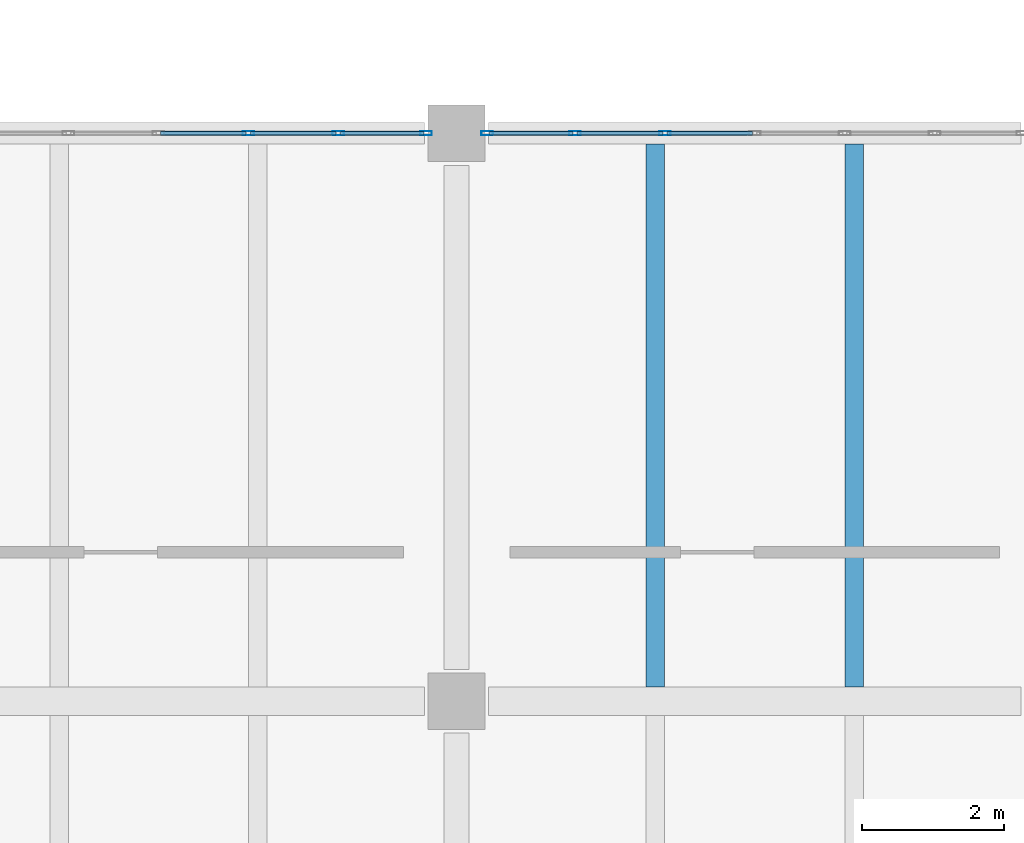
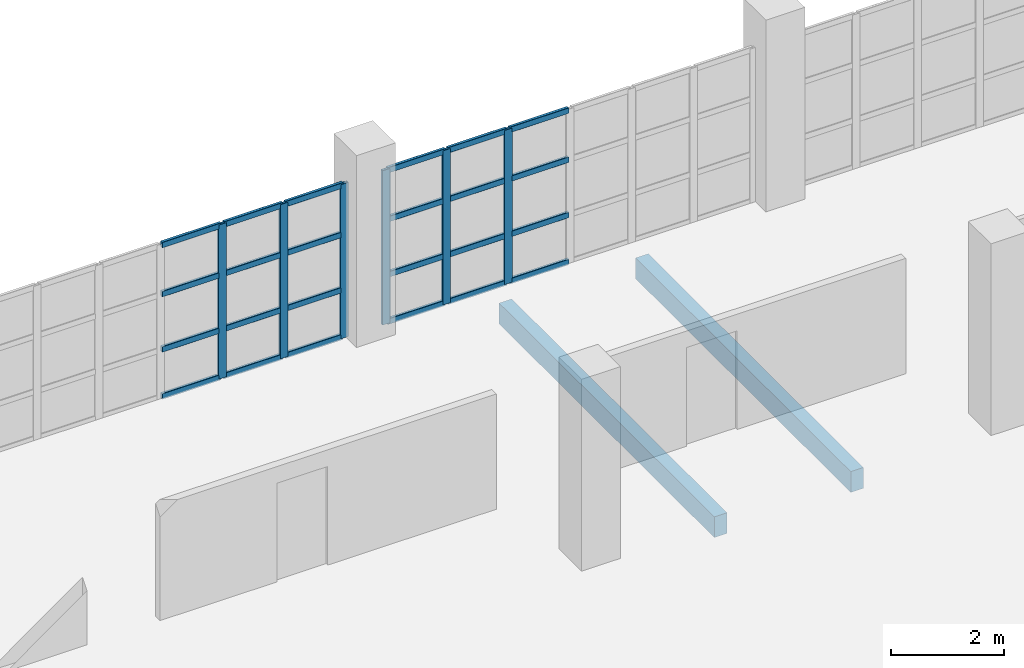
# One storey, part 46 of 177: 30 members, 2 beams, 2 elements without a shape of their own.
"""IFC4 building model written with IfcOpenShell, lengths in metres."""

from ifc_helpers import new_model, si_unit, direction, frame, origin, origin_2d, place, context, subcontext, project, spatial, rectangle, hollow_rectangle, extrude, material, layer, layer_set, material_profile, profile_set, type_object, element, aggregate, save


model = new_model("IFC4")

# Units and contexts
model_context = context("Model", 3, precision=1e-05, world=origin(), true_north=direction((0.0, 1.0)))
body_context = subcontext(model_context, "Body", "Model", "MODEL_VIEW")
ifc_project = project(units=[si_unit("LENGTHUNIT", "METRE"), si_unit("AREAUNIT", "SQUARE_METRE"), si_unit("VOLUMEUNIT", "CUBIC_METRE"), si_unit("PLANEANGLEUNIT", "RADIAN"), si_unit("MASSUNIT", "GRAM", prefix="KILO"), si_unit("THERMODYNAMICTEMPERATUREUNIT", "KELVIN"), si_unit("POWERUNIT", "WATT")], contexts=[model_context])

# Site, building, storey
site_placement = place(None, origin())
site = spatial("IfcSite", under=ifc_project, at=site_placement, CompositionType="ELEMENT")
building_placement = place(site_placement, origin())
building = spatial("IfcBuilding", under=site, at=building_placement, Name="Mavoryth Pier Ferry Terminal", CompositionType="ELEMENT")
storey_placement = place(building_placement, frame((0.0, 0.0, 5.43994140625)))
storey = spatial("IfcBuildingStorey", under=building, at=storey_placement, Name="L01", CompositionType="ELEMENT", Elevation=5.43994140625)

# Beams
ifc_material_1 = material(Name="Concrete C35/45", Category="concrete")
ifc_material_profile_1 = material_profile(ifc_material_1, rectangle(XDim=0.260009765625, YDim=0.449951171875, at=origin_2d()), Name="RC 260x450", Category="concrete")
ifc_profile_set_1 = profile_set([ifc_material_profile_1], Name="Concrete C35/45 - RC 260x450")
beam_type = type_object("IfcBeamType", Name="Joist-RC-260x450", PredefinedType="JOIST", material=ifc_profile_set_1)
for number, where, z_axis, x_axis, name in (
    (1, (78.39990234375, 14.199951171875, -0.48486328125), (0.0, 1.0, 0.0), (-1.0, 0.0, 0.0), "Beam B01-BJ03-0579"),
    (2, (81.199951171875, 14.199951171875, -0.48486328125), (0.0, 1.0, 0.0), (-1.0, 0.0, 0.0), "Beam B01-BJ03-0580"),
):
    element("IfcBeam", number, at=place(storey_placement, frame(where, z_axis=z_axis, x_axis=x_axis)), inside=storey, type_object=beam_type, Name=name, PredefinedType="JOIST", context=body_context, shape_type="SweptSolid", body=[
        extrude(rectangle(XDim=0.260009765625, YDim=0.449951171875, at=origin_2d()), origin(), (0.0, 0.0, 1.0), 7.650146484375),
    ])

# Curtain wall, members
ifc_material_2 = material(Name="Anodised Aluminium and Solar-Control Low-E Glass", Category="aluminium")
ifc_layer = layer(ifc_material_2, 0.239990234375, Name="Anodised Aluminium and Solar-Control Low-E Glass", Category="aluminium")
ifc_layer_set = layer_set([ifc_layer], Name="Anodised Aluminium and Solar-Control Low-E Glass - CW-Operations-Mod1200")
curtain_wall_type = type_object("IfcCurtainWallType", Name="CW-Operations-Mod1200", PredefinedType="USERDEFINED", material=ifc_layer_set)
curtain_wall_1_placement = place(storey_placement, origin())
curtain_wall_1 = element("IfcCurtainWall", 3, at=curtain_wall_1_placement, inside=storey, type_object=curtain_wall_type, Name="Curtain Wall CW-0122-115", ObjectType="UNITISED CURTAIN WALL", PredefinedType="USERDEFINED")
ifc_material_3 = material(Name="Anodised Aluminium EN AW-6063", Category="aluminium")
ifc_material_profile_2 = material_profile(ifc_material_3, hollow_rectangle(XDim=0.06005859375, YDim=0.1650390625, WallThickness=0.00390625, InnerFilletRadius=0.00390625, OuterFilletRadius=0.008056640625, at=origin_2d()), Name="AL-MULL 165x60x4", Category="aluminium")
ifc_profile_set_2 = profile_set([ifc_material_profile_2], Name="Anodised Aluminium EN AW-6063 - AL-MULL 165x60x4")
member_type_1 = type_object("IfcMemberType", Name="Mullion-Alum-165x60", PredefinedType="MULLION", material=ifc_profile_set_2)
member_1_placement = place(storey_placement, frame((75.169921875, 22.0, 0.0), z_axis=(0.0, 0.0, 1.0), x_axis=(0.0, -1.0, 0.0)))
member_1 = element("IfcMember", 4, at=member_1_placement, type_object=member_type_1, Name="CW06 mullion 1", PredefinedType="MULLION", context=body_context, shape_type="SweptSolid", body=[
    extrude(hollow_rectangle(XDim=0.06005859375, YDim=0.1650390625, WallThickness=0.00390625, InnerFilletRadius=0.00390625, OuterFilletRadius=0.008056640625, at=origin_2d()), origin(), (0.0, 0.0, 1.0), 3.344970703125),
])
member_2_placement = place(storey_placement, frame((73.933349609375, 22.0, 0.0), z_axis=(0.0, 0.0, 1.0), x_axis=(0.0, -1.0, 0.0)))
member_2 = element("IfcMember", 5, at=member_2_placement, type_object=member_type_1, Name="CW06 mullion 2", PredefinedType="MULLION", context=body_context, shape_type="SweptSolid", body=[
    extrude(hollow_rectangle(XDim=0.06005859375, YDim=0.1650390625, WallThickness=0.00390625, InnerFilletRadius=0.00390625, OuterFilletRadius=0.008056640625, at=origin_2d()), origin(), (0.0, 0.0, 1.0), 3.344970703125),
])
member_3_placement = place(storey_placement, frame((72.666748046875, 22.0, 0.0), z_axis=(0.0, 0.0, 1.0), x_axis=(0.0, -1.0, 0.0)))
member_3 = element("IfcMember", 6, at=member_3_placement, type_object=member_type_1, Name="CW06 mullion 3", PredefinedType="MULLION", context=body_context, shape_type="SweptSolid", body=[
    extrude(hollow_rectangle(XDim=0.06005859375, YDim=0.1650390625, WallThickness=0.00390625, InnerFilletRadius=0.00390625, OuterFilletRadius=0.008056640625, at=origin_2d()), origin(), (0.0, 0.0, 1.0), 3.344970703125),
])

curtain_wall_2_placement = place(storey_placement, origin())
curtain_wall_2 = element("IfcCurtainWall", 7, at=curtain_wall_2_placement, inside=storey, type_object=curtain_wall_type, Name="Curtain Wall CW-0122-117", ObjectType="UNITISED CURTAIN WALL", PredefinedType="USERDEFINED")
member_4_placement = place(storey_placement, frame((78.533447265625, 22.0, 0.0), z_axis=(0.0, 0.0, 1.0), x_axis=(0.0, -1.0, 0.0)))
member_4 = element("IfcMember", 8, at=member_4_placement, type_object=member_type_1, Name="CW06 mullion 5", PredefinedType="MULLION", context=body_context, shape_type="SweptSolid", body=[
    extrude(hollow_rectangle(XDim=0.06005859375, YDim=0.1650390625, WallThickness=0.00390625, InnerFilletRadius=0.00390625, OuterFilletRadius=0.008056640625, at=origin_2d()), origin(), (0.0, 0.0, 1.0), 3.344970703125),
])
member_5_placement = place(storey_placement, frame((77.2666015625, 22.0, 0.0), z_axis=(0.0, 0.0, 1.0), x_axis=(0.0, -1.0, 0.0)))
member_5 = element("IfcMember", 9, at=member_5_placement, type_object=member_type_1, Name="CW06 mullion 6", PredefinedType="MULLION", context=body_context, shape_type="SweptSolid", body=[
    extrude(hollow_rectangle(XDim=0.06005859375, YDim=0.1650390625, WallThickness=0.00390625, InnerFilletRadius=0.00390625, OuterFilletRadius=0.008056640625, at=origin_2d()), origin(), (0.0, 0.0, 1.0), 3.344970703125),
])
member_6_placement = place(storey_placement, frame((76.030029296875, 22.0, 0.0), z_axis=(0.0, 0.0, 1.0), x_axis=(0.0, -1.0, 0.0)))
member_6 = element("IfcMember", 10, at=member_6_placement, type_object=member_type_1, Name="CW06 mullion 7", PredefinedType="MULLION", context=body_context, shape_type="SweptSolid", body=[
    extrude(hollow_rectangle(XDim=0.06005859375, YDim=0.1650390625, WallThickness=0.00390625, InnerFilletRadius=0.00390625, OuterFilletRadius=0.008056640625, at=origin_2d()), origin(), (0.0, 0.0, 1.0), 3.344970703125),
])

# Member
ifc_material_profile_3 = material_profile(ifc_material_3, hollow_rectangle(XDim=0.06005859375, YDim=0.125, WallThickness=0.00390625, InnerFilletRadius=0.00390625, OuterFilletRadius=0.008056640625, at=origin_2d()), Name="AL-TRAN 125x60x4", Category="aluminium")
ifc_profile_set_3 = profile_set([ifc_material_profile_3], Name="Anodised Aluminium EN AW-6063 - AL-TRAN 125x60x4")
member_type_2 = type_object("IfcMemberType", Name="Transom-Alum-125x60", PredefinedType="USERDEFINED", material=ifc_profile_set_3)
member_7_placement = place(storey_placement, frame((75.139892578125, 22.0, 0.030029296875), z_axis=(-1.0, 0.0, 0.0), x_axis=(0.0, -1.0, 0.0)))
member_7 = element("IfcMember", 11, at=member_7_placement, type_object=member_type_2, Name="CW06 transom 1.1", ObjectType="TRANSOM", PredefinedType="USERDEFINED", context=body_context, shape_type="SweptSolid", body=[
    extrude(hollow_rectangle(XDim=0.06005859375, YDim=0.125, WallThickness=0.00390625, InnerFilletRadius=0.00390625, OuterFilletRadius=0.008056640625, at=origin_2d()), origin(), (0.0, 0.0, 1.0), 1.176513671875),
])

member_8_placement = place(storey_placement, frame((75.139892578125, 22.0, 1.050048828125), z_axis=(-1.0, 0.0, 0.0), x_axis=(0.0, -1.0, 0.0)))
member_8 = element("IfcMember", 12, at=member_8_placement, type_object=member_type_2, Name="CW06 transom 1.2", ObjectType="TRANSOM", PredefinedType="USERDEFINED", context=body_context, shape_type="SweptSolid", body=[
    extrude(hollow_rectangle(XDim=0.06005859375, YDim=0.125, WallThickness=0.00390625, InnerFilletRadius=0.00390625, OuterFilletRadius=0.008056640625, at=origin_2d()), origin(), (0.0, 0.0, 1.0), 1.176513671875),
])

member_9_placement = place(storey_placement, frame((75.139892578125, 22.0, 2.25), z_axis=(-1.0, 0.0, 0.0), x_axis=(0.0, -1.0, 0.0)))
member_9 = element("IfcMember", 13, at=member_9_placement, type_object=member_type_2, Name="CW06 transom 1.3", ObjectType="TRANSOM", PredefinedType="USERDEFINED", context=body_context, shape_type="SweptSolid", body=[
    extrude(hollow_rectangle(XDim=0.06005859375, YDim=0.125, WallThickness=0.00390625, InnerFilletRadius=0.00390625, OuterFilletRadius=0.008056640625, at=origin_2d()), origin(), (0.0, 0.0, 1.0), 1.176513671875),
])

member_10_placement = place(storey_placement, frame((75.139892578125, 22.0, 3.31494140625), z_axis=(-1.0, 0.0, 0.0), x_axis=(0.0, -1.0, 0.0)))
member_10 = element("IfcMember", 14, at=member_10_placement, type_object=member_type_2, Name="CW06 transom 1.4", ObjectType="TRANSOM", PredefinedType="USERDEFINED", context=body_context, shape_type="SweptSolid", body=[
    extrude(hollow_rectangle(XDim=0.06005859375, YDim=0.125, WallThickness=0.00390625, InnerFilletRadius=0.00390625, OuterFilletRadius=0.008056640625, at=origin_2d()), origin(), (0.0, 0.0, 1.0), 1.176513671875),
])

member_11_placement = place(storey_placement, frame((73.9033203125, 22.0, 0.030029296875), z_axis=(-1.0, 0.0, 0.0), x_axis=(0.0, -1.0, 0.0)))
member_11 = element("IfcMember", 15, at=member_11_placement, type_object=member_type_2, Name="CW06 transom 2.1", ObjectType="TRANSOM", PredefinedType="USERDEFINED", context=body_context, shape_type="SweptSolid", body=[
    extrude(hollow_rectangle(XDim=0.06005859375, YDim=0.125, WallThickness=0.00390625, InnerFilletRadius=0.00390625, OuterFilletRadius=0.008056640625, at=origin_2d()), origin(), (0.0, 0.0, 1.0), 1.20654296875),
])

member_12_placement = place(storey_placement, frame((73.9033203125, 22.0, 1.050048828125), z_axis=(-1.0, 0.0, 0.0), x_axis=(0.0, -1.0, 0.0)))
member_12 = element("IfcMember", 16, at=member_12_placement, type_object=member_type_2, Name="CW06 transom 2.2", ObjectType="TRANSOM", PredefinedType="USERDEFINED", context=body_context, shape_type="SweptSolid", body=[
    extrude(hollow_rectangle(XDim=0.06005859375, YDim=0.125, WallThickness=0.00390625, InnerFilletRadius=0.00390625, OuterFilletRadius=0.008056640625, at=origin_2d()), origin(), (0.0, 0.0, 1.0), 1.20654296875),
])

member_13_placement = place(storey_placement, frame((73.9033203125, 22.0, 2.25), z_axis=(-1.0, 0.0, 0.0), x_axis=(0.0, -1.0, 0.0)))
member_13 = element("IfcMember", 17, at=member_13_placement, type_object=member_type_2, Name="CW06 transom 2.3", ObjectType="TRANSOM", PredefinedType="USERDEFINED", context=body_context, shape_type="SweptSolid", body=[
    extrude(hollow_rectangle(XDim=0.06005859375, YDim=0.125, WallThickness=0.00390625, InnerFilletRadius=0.00390625, OuterFilletRadius=0.008056640625, at=origin_2d()), origin(), (0.0, 0.0, 1.0), 1.20654296875),
])

member_14_placement = place(storey_placement, frame((73.9033203125, 22.0, 3.31494140625), z_axis=(-1.0, 0.0, 0.0), x_axis=(0.0, -1.0, 0.0)))
member_14 = element("IfcMember", 18, at=member_14_placement, type_object=member_type_2, Name="CW06 transom 2.4", ObjectType="TRANSOM", PredefinedType="USERDEFINED", context=body_context, shape_type="SweptSolid", body=[
    extrude(hollow_rectangle(XDim=0.06005859375, YDim=0.125, WallThickness=0.00390625, InnerFilletRadius=0.00390625, OuterFilletRadius=0.008056640625, at=origin_2d()), origin(), (0.0, 0.0, 1.0), 1.20654296875),
])

member_15_placement = place(storey_placement, frame((72.63671875, 22.0, 0.030029296875), z_axis=(-1.0, 0.0, 0.0), x_axis=(0.0, -1.0, 0.0)))
member_15 = element("IfcMember", 19, at=member_15_placement, type_object=member_type_2, Name="CW06 transom 3.1", ObjectType="TRANSOM", PredefinedType="USERDEFINED", context=body_context, shape_type="SweptSolid", body=[
    extrude(hollow_rectangle(XDim=0.06005859375, YDim=0.125, WallThickness=0.00390625, InnerFilletRadius=0.00390625, OuterFilletRadius=0.008056640625, at=origin_2d()), origin(), (0.0, 0.0, 1.0), 1.206787109375),
])

member_16_placement = place(storey_placement, frame((72.63671875, 22.0, 1.050048828125), z_axis=(-1.0, 0.0, 0.0), x_axis=(0.0, -1.0, 0.0)))
member_16 = element("IfcMember", 20, at=member_16_placement, type_object=member_type_2, Name="CW06 transom 3.2", ObjectType="TRANSOM", PredefinedType="USERDEFINED", context=body_context, shape_type="SweptSolid", body=[
    extrude(hollow_rectangle(XDim=0.06005859375, YDim=0.125, WallThickness=0.00390625, InnerFilletRadius=0.00390625, OuterFilletRadius=0.008056640625, at=origin_2d()), origin(), (0.0, 0.0, 1.0), 1.206787109375),
])

member_17_placement = place(storey_placement, frame((72.63671875, 22.0, 2.25), z_axis=(-1.0, 0.0, 0.0), x_axis=(0.0, -1.0, 0.0)))
member_17 = element("IfcMember", 21, at=member_17_placement, type_object=member_type_2, Name="CW06 transom 3.3", ObjectType="TRANSOM", PredefinedType="USERDEFINED", context=body_context, shape_type="SweptSolid", body=[
    extrude(hollow_rectangle(XDim=0.06005859375, YDim=0.125, WallThickness=0.00390625, InnerFilletRadius=0.00390625, OuterFilletRadius=0.008056640625, at=origin_2d()), origin(), (0.0, 0.0, 1.0), 1.206787109375),
])

member_18_placement = place(storey_placement, frame((72.63671875, 22.0, 3.31494140625), z_axis=(-1.0, 0.0, 0.0), x_axis=(0.0, -1.0, 0.0)))
member_18 = element("IfcMember", 22, at=member_18_placement, type_object=member_type_2, Name="CW06 transom 3.4", ObjectType="TRANSOM", PredefinedType="USERDEFINED", context=body_context, shape_type="SweptSolid", body=[
    extrude(hollow_rectangle(XDim=0.06005859375, YDim=0.125, WallThickness=0.00390625, InnerFilletRadius=0.00390625, OuterFilletRadius=0.008056640625, at=origin_2d()), origin(), (0.0, 0.0, 1.0), 1.206787109375),
])

aggregate(curtain_wall_1, [member_1, member_2, member_3, member_7, member_8, member_9, member_10, member_11, member_12, member_13, member_14, member_15, member_16, member_17, member_18])

member_19_placement = place(storey_placement, frame((79.77001953125, 22.0, 0.030029296875), z_axis=(-1.0, 0.0, 0.0), x_axis=(0.0, -1.0, 0.0)))
member_19 = element("IfcMember", 23, at=member_19_placement, type_object=member_type_2, Name="CW06 transom 4.1", ObjectType="TRANSOM", PredefinedType="USERDEFINED", context=body_context, shape_type="SweptSolid", body=[
    extrude(hollow_rectangle(XDim=0.06005859375, YDim=0.125, WallThickness=0.00390625, InnerFilletRadius=0.00390625, OuterFilletRadius=0.008056640625, at=origin_2d()), origin(), (0.0, 0.0, 1.0), 1.206787109375),
])

member_20_placement = place(storey_placement, frame((79.77001953125, 22.0, 1.050048828125), z_axis=(-1.0, 0.0, 0.0), x_axis=(0.0, -1.0, 0.0)))
member_20 = element("IfcMember", 24, at=member_20_placement, type_object=member_type_2, Name="CW06 transom 4.2", ObjectType="TRANSOM", PredefinedType="USERDEFINED", context=body_context, shape_type="SweptSolid", body=[
    extrude(hollow_rectangle(XDim=0.06005859375, YDim=0.125, WallThickness=0.00390625, InnerFilletRadius=0.00390625, OuterFilletRadius=0.008056640625, at=origin_2d()), origin(), (0.0, 0.0, 1.0), 1.206787109375),
])

member_21_placement = place(storey_placement, frame((79.77001953125, 22.0, 2.25), z_axis=(-1.0, 0.0, 0.0), x_axis=(0.0, -1.0, 0.0)))
member_21 = element("IfcMember", 25, at=member_21_placement, type_object=member_type_2, Name="CW06 transom 4.3", ObjectType="TRANSOM", PredefinedType="USERDEFINED", context=body_context, shape_type="SweptSolid", body=[
    extrude(hollow_rectangle(XDim=0.06005859375, YDim=0.125, WallThickness=0.00390625, InnerFilletRadius=0.00390625, OuterFilletRadius=0.008056640625, at=origin_2d()), origin(), (0.0, 0.0, 1.0), 1.206787109375),
])

member_22_placement = place(storey_placement, frame((79.77001953125, 22.0, 3.31494140625), z_axis=(-1.0, 0.0, 0.0), x_axis=(0.0, -1.0, 0.0)))
member_22 = element("IfcMember", 26, at=member_22_placement, type_object=member_type_2, Name="CW06 transom 4.4", ObjectType="TRANSOM", PredefinedType="USERDEFINED", context=body_context, shape_type="SweptSolid", body=[
    extrude(hollow_rectangle(XDim=0.06005859375, YDim=0.125, WallThickness=0.00390625, InnerFilletRadius=0.00390625, OuterFilletRadius=0.008056640625, at=origin_2d()), origin(), (0.0, 0.0, 1.0), 1.206787109375),
])

member_23_placement = place(storey_placement, frame((78.50341796875, 22.0, 0.030029296875), z_axis=(-1.0, 0.0, 0.0), x_axis=(0.0, -1.0, 0.0)))
member_23 = element("IfcMember", 27, at=member_23_placement, type_object=member_type_2, Name="CW06 transom 5.1", ObjectType="TRANSOM", PredefinedType="USERDEFINED", context=body_context, shape_type="SweptSolid", body=[
    extrude(hollow_rectangle(XDim=0.06005859375, YDim=0.125, WallThickness=0.00390625, InnerFilletRadius=0.00390625, OuterFilletRadius=0.008056640625, at=origin_2d()), origin(), (0.0, 0.0, 1.0), 1.206787109375),
])

member_24_placement = place(storey_placement, frame((78.50341796875, 22.0, 1.050048828125), z_axis=(-1.0, 0.0, 0.0), x_axis=(0.0, -1.0, 0.0)))
member_24 = element("IfcMember", 28, at=member_24_placement, type_object=member_type_2, Name="CW06 transom 5.2", ObjectType="TRANSOM", PredefinedType="USERDEFINED", context=body_context, shape_type="SweptSolid", body=[
    extrude(hollow_rectangle(XDim=0.06005859375, YDim=0.125, WallThickness=0.00390625, InnerFilletRadius=0.00390625, OuterFilletRadius=0.008056640625, at=origin_2d()), origin(), (0.0, 0.0, 1.0), 1.206787109375),
])

member_25_placement = place(storey_placement, frame((78.50341796875, 22.0, 2.25), z_axis=(-1.0, 0.0, 0.0), x_axis=(0.0, -1.0, 0.0)))
member_25 = element("IfcMember", 29, at=member_25_placement, type_object=member_type_2, Name="CW06 transom 5.3", ObjectType="TRANSOM", PredefinedType="USERDEFINED", context=body_context, shape_type="SweptSolid", body=[
    extrude(hollow_rectangle(XDim=0.06005859375, YDim=0.125, WallThickness=0.00390625, InnerFilletRadius=0.00390625, OuterFilletRadius=0.008056640625, at=origin_2d()), origin(), (0.0, 0.0, 1.0), 1.206787109375),
])

member_26_placement = place(storey_placement, frame((78.50341796875, 22.0, 3.31494140625), z_axis=(-1.0, 0.0, 0.0), x_axis=(0.0, -1.0, 0.0)))
member_26 = element("IfcMember", 30, at=member_26_placement, type_object=member_type_2, Name="CW06 transom 5.4", ObjectType="TRANSOM", PredefinedType="USERDEFINED", context=body_context, shape_type="SweptSolid", body=[
    extrude(hollow_rectangle(XDim=0.06005859375, YDim=0.125, WallThickness=0.00390625, InnerFilletRadius=0.00390625, OuterFilletRadius=0.008056640625, at=origin_2d()), origin(), (0.0, 0.0, 1.0), 1.206787109375),
])

member_27_placement = place(storey_placement, frame((77.236572265625, 22.0, 0.030029296875), z_axis=(-1.0, 0.0, 0.0), x_axis=(0.0, -1.0, 0.0)))
member_27 = element("IfcMember", 31, at=member_27_placement, type_object=member_type_2, Name="CW06 transom 6.1", ObjectType="TRANSOM", PredefinedType="USERDEFINED", context=body_context, shape_type="SweptSolid", body=[
    extrude(hollow_rectangle(XDim=0.06005859375, YDim=0.125, WallThickness=0.00390625, InnerFilletRadius=0.00390625, OuterFilletRadius=0.008056640625, at=origin_2d()), origin(), (0.0, 0.0, 1.0), 1.176513671875),
])

member_28_placement = place(storey_placement, frame((77.236572265625, 22.0, 1.050048828125), z_axis=(-1.0, 0.0, 0.0), x_axis=(0.0, -1.0, 0.0)))
member_28 = element("IfcMember", 32, at=member_28_placement, type_object=member_type_2, Name="CW06 transom 6.2", ObjectType="TRANSOM", PredefinedType="USERDEFINED", context=body_context, shape_type="SweptSolid", body=[
    extrude(hollow_rectangle(XDim=0.06005859375, YDim=0.125, WallThickness=0.00390625, InnerFilletRadius=0.00390625, OuterFilletRadius=0.008056640625, at=origin_2d()), origin(), (0.0, 0.0, 1.0), 1.176513671875),
])

member_29_placement = place(storey_placement, frame((77.236572265625, 22.0, 2.25), z_axis=(-1.0, 0.0, 0.0), x_axis=(0.0, -1.0, 0.0)))
member_29 = element("IfcMember", 33, at=member_29_placement, type_object=member_type_2, Name="CW06 transom 6.3", ObjectType="TRANSOM", PredefinedType="USERDEFINED", context=body_context, shape_type="SweptSolid", body=[
    extrude(hollow_rectangle(XDim=0.06005859375, YDim=0.125, WallThickness=0.00390625, InnerFilletRadius=0.00390625, OuterFilletRadius=0.008056640625, at=origin_2d()), origin(), (0.0, 0.0, 1.0), 1.176513671875),
])

member_30_placement = place(storey_placement, frame((77.236572265625, 22.0, 3.31494140625), z_axis=(-1.0, 0.0, 0.0), x_axis=(0.0, -1.0, 0.0)))
member_30 = element("IfcMember", 34, at=member_30_placement, type_object=member_type_2, Name="CW06 transom 6.4", ObjectType="TRANSOM", PredefinedType="USERDEFINED", context=body_context, shape_type="SweptSolid", body=[
    extrude(hollow_rectangle(XDim=0.06005859375, YDim=0.125, WallThickness=0.00390625, InnerFilletRadius=0.00390625, OuterFilletRadius=0.008056640625, at=origin_2d()), origin(), (0.0, 0.0, 1.0), 1.176513671875),
])

aggregate(curtain_wall_2, [member_4, member_5, member_6, member_19, member_20, member_21, member_22, member_23, member_24, member_25, member_26, member_27, member_28, member_29, member_30])

save(model, "model.ifc")
